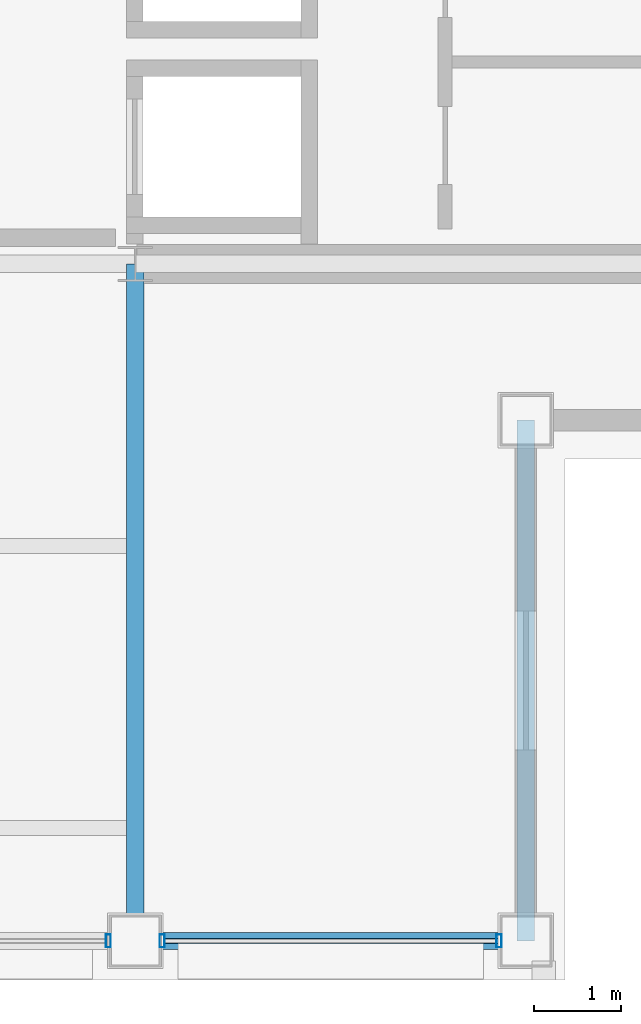
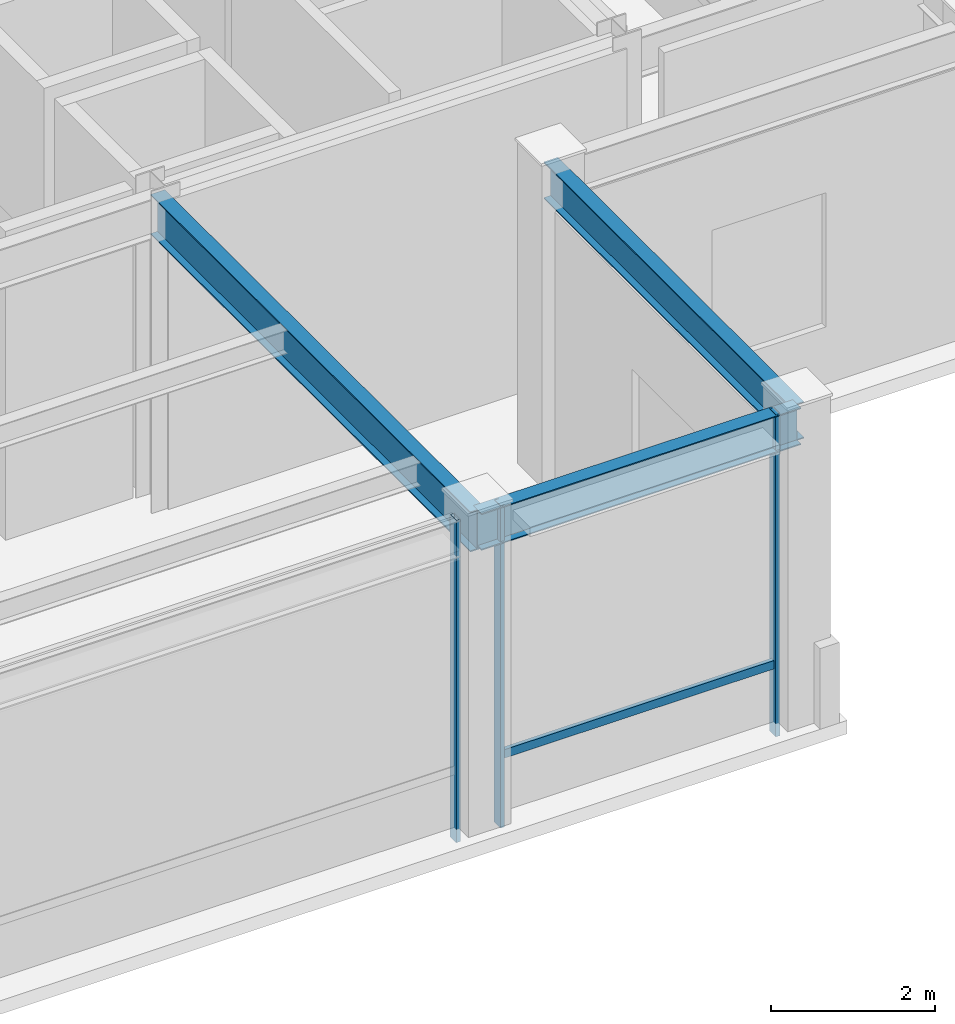
# One storey, part 4 of 21: 4 members, 3 beams, 2 elements without a shape of their own.
"""IFC4 building model written with IfcOpenShell, lengths in metres."""

from ifc_helpers import new_model, si_unit, direction, frame, origin, origin_2d, place, context, subcontext, project, spatial, hollow_rectangle, i_section, extrude, material, layer, layer_set, material_profile, profile_set, type_object, element, aggregate, save


model = new_model("IFC4")

# Units and contexts
model_context = context("Model", 3, precision=1e-05, world=origin(), true_north=direction((0.0, 1.0)))
body_context = subcontext(model_context, "Body", "Model", "MODEL_VIEW")
ifc_project = project(units=[si_unit("LENGTHUNIT", "METRE"), si_unit("AREAUNIT", "SQUARE_METRE"), si_unit("VOLUMEUNIT", "CUBIC_METRE"), si_unit("PLANEANGLEUNIT", "RADIAN"), si_unit("MASSUNIT", "GRAM", prefix="KILO")], contexts=[model_context])

# Site, building, storey
site_placement = place(None, origin())
site = spatial("IfcSite", under=ifc_project, at=site_placement, CompositionType="ELEMENT")
building_placement = place(site_placement, origin())
building = spatial("IfcBuilding", under=site, at=building_placement, Name="Brelmoor Portico Tower", CompositionType="ELEMENT")
storey_placement = place(building_placement, frame((0.0, 0.0, 284.39990234375)))
storey = spatial("IfcBuildingStorey", under=building, at=storey_placement, Name="L75", CompositionType="ELEMENT", Elevation=284.39990234375)

# Beams
ifc_material_1 = material(Name="Steel Q355B", Category="steel")
ifc_material_profile_1 = material_profile(ifc_material_1, i_section(OverallWidth=0.199951171875, OverallDepth=0.60009765625, WebThickness=0.010986328125, FlangeThickness=0.01708984375, at=origin_2d()), Name="HN 600x200x11x17")
ifc_profile_set_1 = profile_set([ifc_material_profile_1], Name="Steel Q355B")
beam_type_1 = type_object("IfcBeamType", Name="BM-PG-600", PredefinedType="BEAM", material=ifc_profile_set_1)
beam_1_placement = place(storey_placement, frame((8.050048828125, -17.550048828125, 4.300048828125), z_axis=(0.0, 1.0, 0.0), x_axis=(-1.0, 0.0, 0.0)))
element("IfcBeam", 1, at=beam_1_placement, inside=storey, type_object=beam_type_1, Name="L75 Primary Floor Girder PG-06", PredefinedType="BEAM", context=body_context, shape_type="SweptSolid", body=[
    extrude(i_section(OverallWidth=0.199951171875, OverallDepth=0.60009765625, WebThickness=0.010986328125, FlangeThickness=0.01708984375, at=origin_2d()), origin(), (0.0, 0.0, 1.0), 7.800048828125),
])
ifc_material_profile_2 = material_profile(ifc_material_1, i_section(OverallWidth=0.199951171875, OverallDepth=0.550048828125, WebThickness=0.010009765625, FlangeThickness=0.01611328125, at=origin_2d()), Name="HN 550x200x10x16")
ifc_profile_set_2 = profile_set([ifc_material_profile_2], Name="Steel Q355B")
beam_type_2 = type_object("IfcBeamType", Name="BM-SP-550", PredefinedType="SPANDREL", material=ifc_profile_set_2)
beam_2_placement = place(storey_placement, frame((8.050048828125, -17.550048828125, 4.3251953125), z_axis=(1.0, 0.0, 0.0), x_axis=(0.0, 1.0, 0.0)))
element("IfcBeam", 2, at=beam_2_placement, inside=storey, type_object=beam_type_2, Name="L75 Perimeter Spandrel Beam SP-03", PredefinedType="SPANDREL", context=body_context, shape_type="SweptSolid", body=[
    extrude(i_section(OverallWidth=0.199951171875, OverallDepth=0.550048828125, WebThickness=0.010009765625, FlangeThickness=0.01611328125, at=origin_2d()), origin(), (0.0, 0.0, 1.0), 4.5),
])
beam_3_placement = place(storey_placement, frame((12.550048828125, -17.550048828125, 4.3251953125), z_axis=(0.0, 1.0, 0.0), x_axis=(-1.0, 0.0, 0.0)))
element("IfcBeam", 3, at=beam_3_placement, inside=storey, type_object=beam_type_2, Name="L75 Perimeter Spandrel Beam SP-16", PredefinedType="SPANDREL", context=body_context, shape_type="SweptSolid", body=[
    extrude(i_section(OverallWidth=0.199951171875, OverallDepth=0.550048828125, WebThickness=0.010009765625, FlangeThickness=0.01611328125, at=origin_2d()), origin(), (0.0, 0.0, 1.0), 6.0),
])

# Curtain wall, member
ifc_material_2 = material(Name="Anodised Aluminium Alloy 6063-T6", Category="aluminium")
ifc_layer = layer(ifc_material_2, 0.179931640625)
ifc_layer_set = layer_set([ifc_layer], Name="Anodised Aluminium Alloy 6063-T6")
curtain_wall_type = type_object("IfcCurtainWallType", Name="CW-TOWER-Z4", PredefinedType="NOTDEFINED", material=ifc_layer_set)
curtain_wall_1_placement = place(storey_placement, origin())
curtain_wall_1 = element("IfcCurtainWall", 4, at=curtain_wall_1_placement, inside=storey, type_object=curtain_wall_type, Name="L75 Curtain Wall CW-L75-01-2", PredefinedType="NOTDEFINED")
ifc_material_profile_3 = material_profile(ifc_material_2, hollow_rectangle(XDim=0.06005859375, YDim=0.14990234375, WallThickness=0.00390625, at=origin_2d()), Name="ALU MULLION 60x150")
ifc_profile_set_3 = profile_set([ifc_material_profile_3], Name="Anodised Aluminium Alloy 6063-T6")
member_type_1 = type_object("IfcMemberType", Name="MB-CW-MULL-150", PredefinedType="MULLION", material=ifc_profile_set_3)
member_1_placement = place(storey_placement, frame((7.739990234375, -17.550048828125, -0.199951171875), z_axis=(0.0, 0.0, 1.0), x_axis=(1.0, 0.0, 0.0)))
member_1 = element("IfcMember", 5, at=member_1_placement, type_object=member_type_1, Name="CW-L75-01-2 Mullion 01", PredefinedType="MULLION", context=body_context, shape_type="SweptSolid", body=[
    extrude(hollow_rectangle(XDim=0.06005859375, YDim=0.14990234375, WallThickness=0.00390625, at=origin_2d()), origin(), (0.0, 0.0, 1.0), 4.800048828125),
])
aggregate(curtain_wall_1, [member_1])

# Curtain wall, members
curtain_wall_2_placement = place(storey_placement, origin())
curtain_wall_2 = element("IfcCurtainWall", 6, at=curtain_wall_2_placement, inside=storey, type_object=curtain_wall_type, Name="L75 Curtain Wall CW-L75-01-3", PredefinedType="NOTDEFINED")
member_2_placement = place(storey_placement, frame((8.360107421875, -17.550048828125, -0.199951171875), z_axis=(0.0, 0.0, 1.0), x_axis=(1.0, 0.0, 0.0)))
member_2 = element("IfcMember", 7, at=member_2_placement, type_object=member_type_1, Name="CW-L75-01-3 Mullion 00", PredefinedType="MULLION", context=body_context, shape_type="SweptSolid", body=[
    extrude(hollow_rectangle(XDim=0.06005859375, YDim=0.14990234375, WallThickness=0.00390625, at=origin_2d()), origin(), (0.0, 0.0, 1.0), 4.800048828125),
])
member_3_placement = place(storey_placement, frame((12.239990234375, -17.550048828125, -0.199951171875), z_axis=(0.0, 0.0, 1.0), x_axis=(1.0, 0.0, 0.0)))
member_3 = element("IfcMember", 8, at=member_3_placement, type_object=member_type_1, Name="CW-L75-01-3 Mullion 01", PredefinedType="MULLION", context=body_context, shape_type="SweptSolid", body=[
    extrude(hollow_rectangle(XDim=0.06005859375, YDim=0.14990234375, WallThickness=0.00390625, at=origin_2d()), origin(), (0.0, 0.0, 1.0), 4.800048828125),
])
ifc_material_profile_4 = material_profile(ifc_material_2, hollow_rectangle(XDim=0.06005859375, YDim=0.125, WallThickness=0.00341796875, at=origin_2d()), Name="ALU TRANSOM 60x125")
ifc_profile_set_4 = profile_set([ifc_material_profile_4], Name="Anodised Aluminium Alloy 6063-T6")
member_type_2 = type_object("IfcMemberType", Name="MB-CW-TRAN-125", PredefinedType="USERDEFINED", material=ifc_profile_set_4)
member_4_placement = place(storey_placement, frame((8.360107421875, -17.550048828125, 0.85009765625), z_axis=(1.0, 0.0, 0.0), x_axis=(0.0, 1.0, 0.0)))
member_4 = element("IfcMember", 9, at=member_4_placement, type_object=member_type_2, Name="CW-L75-01-3 Transom 1-00", ObjectType="TRANSOM", PredefinedType="USERDEFINED", context=body_context, shape_type="SweptSolid", body=[
    extrude(hollow_rectangle(XDim=0.06005859375, YDim=0.125, WallThickness=0.00341796875, at=origin_2d()), origin(), (0.0, 0.0, 1.0), 3.8798828125),
])
aggregate(curtain_wall_2, [member_2, member_3, member_4])

save(model, "model.ifc")
